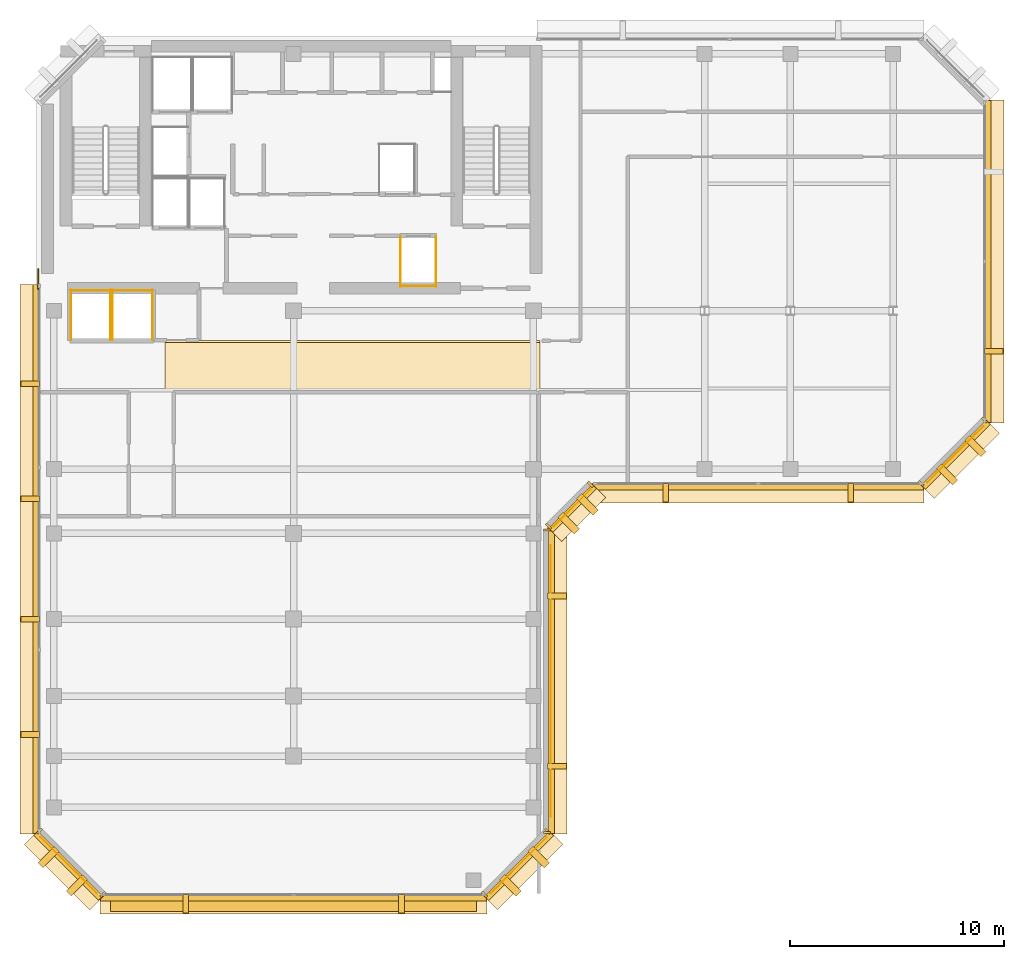
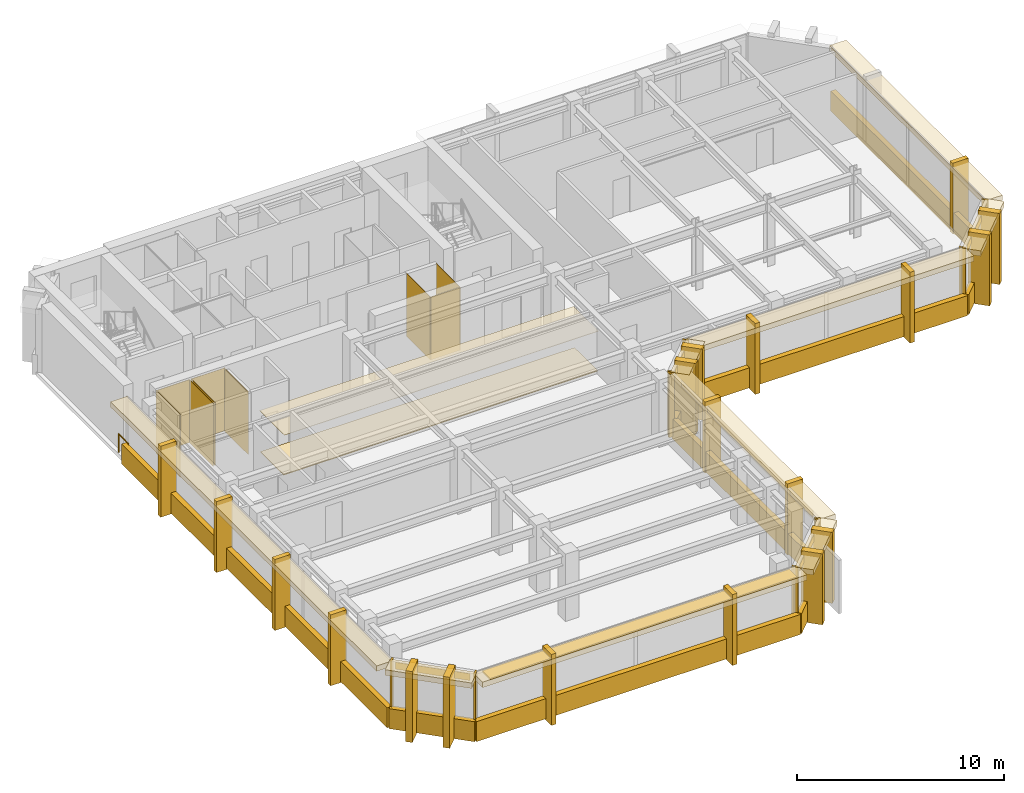
# One storey, part 9 of 11: 63 coverings, 1 railing, 1 shading device.
"""IFC4 building model written with IfcOpenShell, lengths in metres."""

from ifc_helpers import new_model, si_unit, direction, frame, origin, origin_2d, place, context, subcontext, project, spatial, polyline, rectangle, circle, outline, extrude, material, layer, layer_set, type_object, element, save


model = new_model("IFC4")

# Units and contexts
model_context = context("Model", 3, precision=1e-05, world=origin(), true_north=direction((0.0, 1.0)))
body_context = subcontext(model_context, "Body", "Model", "MODEL_VIEW")
ifc_project = project(units=[si_unit("LENGTHUNIT", "METRE"), si_unit("AREAUNIT", "SQUARE_METRE"), si_unit("VOLUMEUNIT", "CUBIC_METRE"), si_unit("PLANEANGLEUNIT", "RADIAN"), si_unit("MASSUNIT", "GRAM", prefix="KILO")], contexts=[model_context])

# Site, building, storey
site_placement = place(None, origin())
site = spatial("IfcSite", under=ifc_project, at=site_placement, CompositionType="ELEMENT")
building_placement = place(site_placement, origin())
building = spatial("IfcBuilding", under=site, at=building_placement, Name="Kefirva Bronze Tower", CompositionType="ELEMENT")
storey_placement = place(building_placement, frame((0.0, 0.0, 343.530029296875)))
storey = spatial("IfcBuildingStorey", under=building, at=storey_placement, Name="L84", CompositionType="ELEMENT", Elevation=343.530029296875)

# Coverings
ifc_material_1 = material(Name="Acoustic mineral tile")
ifc_layer_1 = layer(ifc_material_1, 0.02490234375, Name="Acoustic mineral tile")
ifc_layer_set_1 = layer_set([ifc_layer_1], Name="Acoustic mineral tile")
covering_type_1 = type_object("IfcCoveringType", Name="Acoustic Mineral Suspended Ceiling 25mm", PredefinedType="CEILING", material=ifc_layer_set_1)
covering_1_placement = place(storey_placement, frame((0.0, 0.0, 2.39990234375)))
element("IfcCovering", 1, at=covering_1_placement, inside=storey, type_object=covering_type_1, Name="L84 Corridor Acoustic Ceiling", PredefinedType="CEILING", context=body_context, shape_type="SweptSolid", body=[
    extrude(outline(polyline([(6.0, 29.39990234375), (23.5, 29.39990234375), (23.5, 31.800048828125), (6.0, 31.800048828125), (6.0, 29.39990234375)])), origin(), (0.0, 0.0, 1.0), 0.025146484375),
])
ifc_material_2 = material(Name="Bronze anodised aluminium", Category="aluminium")
ifc_layer_2 = layer(ifc_material_2, 0.02001953125, Name="Bronze anodised aluminium")
ifc_layer_set_2 = layer_set([ifc_layer_2], Name="Bronze anodised aluminium")
covering_type_2 = type_object("IfcCoveringType", Name="Anodised Bronze Spandrel Cladding 20mm", PredefinedType="CLADDING", material=ifc_layer_set_2)
covering_2_placement = place(storey_placement, frame((12.0, 5.760009765625, -0.16015625), z_axis=(0.0, 0.0, 1.0), x_axis=(1.0, 0.0, 0.0)))
element("IfcCovering", 2, at=covering_2_placement, inside=storey, type_object=covering_type_2, Name="L84 Streamline Horizontal Spandrel Band 0", PredefinedType="CLADDING", context=body_context, shape_type="SweptSolid", body=[
    extrude(rectangle(XDim=18.0400390625, YDim=0.280029296875, at=origin_2d()), origin(), (0.0, 0.0, 1.0), 1.179931640625),
])
covering_3_placement = place(storey_placement, frame((22.507080078125, 7.29296875, 3.2900390625), z_axis=(0.0, 0.0, 1.0), x_axis=(0.707106781187, 0.707106781187, 0.0)))
element("IfcCovering", 3, at=covering_3_placement, inside=storey, type_object=covering_type_2, Name="L84 Bronze Spandrel Cladding 1", PredefinedType="CLADDING", context=body_context, shape_type="SweptSolid", body=[
    extrude(rectangle(XDim=3.719482421875, YDim=0.02001953125, at=origin_2d()), origin(), (0.0, 0.0, 1.0), 0.39990234375),
])
for number, where, z_axis, x_axis, name in (
    (4, (20.91162109375, 5.93798828125, 0.0), (0.0, 0.0, 1.0), (0.707106781187, 0.707106781187, 0.0), "L84 Facade Joint Closure Panel 1S"),
    (5, (23.862060546875, 8.88818359375, 0.0), (0.0, 0.0, 1.0), (0.707106781187, 0.707106781187, 0.0), "L84 Facade Joint Closure Panel 1E"),
):
    element("IfcCovering", number, at=place(storey_placement, frame(where, z_axis=z_axis, x_axis=x_axis)), inside=storey, type_object=covering_type_2, Name=name, PredefinedType="CLADDING", context=body_context, shape_type="SweptSolid", body=[
        extrude(rectangle(XDim=0.10009765625, YDim=0.320068359375, at=origin_2d()), origin(), (0.0, 0.0, 1.0), 3.7099609375),
    ])
covering_4_placement = place(storey_placement, frame((22.5283203125, 7.271728515625, -0.16015625), z_axis=(0.0, 0.0, 1.0), x_axis=(0.707106781187, 0.707106781187, 0.0)))
element("IfcCovering", 6, at=covering_4_placement, inside=storey, type_object=covering_type_2, Name="L84 Streamline Horizontal Spandrel Band 1", PredefinedType="CLADDING", context=body_context, shape_type="SweptSolid", body=[
    extrude(rectangle(XDim=4.28271484375, YDim=0.280029296875, at=origin_2d()), origin(), (0.0, 0.0, 1.0), 1.179931640625),
])
covering_5_placement = place(storey_placement, frame((24.010009765625, 15.89990234375, 3.2900390625), z_axis=(0.0, 0.0, 1.0), x_axis=(0.0, 1.0, 0.0)))
element("IfcCovering", 7, at=covering_5_placement, inside=storey, type_object=covering_type_2, Name="L84 Bronze Spandrel Cladding 2", PredefinedType="CLADDING", context=body_context, shape_type="SweptSolid", body=[
    extrude(rectangle(XDim=12.680908203125, YDim=0.02001953125, at=origin_2d()), origin(), (0.0, 0.0, 1.0), 0.39990234375),
])
for number, where, z_axis, x_axis, name in (
    (8, (23.840087890625, 8.8349609375, 0.0), (0.0, 0.0, 1.0), (0.0, 1.0, 0.0), "L84 Facade Joint Closure Panel 2S"),
    (9, (23.840087890625, 22.965087890625, 0.0), (0.0, 0.0, 1.0), (0.0, 1.0, 0.0), "L84 Facade Joint Closure Panel 2E"),
):
    element("IfcCovering", number, at=place(storey_placement, frame(where, z_axis=z_axis, x_axis=x_axis)), inside=storey, type_object=covering_type_2, Name=name, PredefinedType="CLADDING", context=body_context, shape_type="SweptSolid", body=[
        extrude(rectangle(XDim=0.10009765625, YDim=0.320068359375, at=origin_2d()), origin(), (0.0, 0.0, 1.0), 3.7099609375),
    ])
covering_6_placement = place(storey_placement, frame((24.0400390625, 15.89990234375, -0.16015625), z_axis=(0.0, 0.0, 1.0), x_axis=(0.0, 1.0, 0.0)))
element("IfcCovering", 10, at=covering_6_placement, inside=storey, type_object=covering_type_2, Name="L84 Streamline Horizontal Spandrel Band 2", PredefinedType="CLADDING", context=body_context, shape_type="SweptSolid", body=[
    extrude(rectangle(XDim=14.239990234375, YDim=0.280029296875, at=origin_2d()), origin(), (0.0, 0.0, 1.0), 1.179931640625),
])
covering_7_placement = place(storey_placement, frame((25.007080078125, 23.992919921875, 3.2900390625), z_axis=(0.0, 0.0, 1.0), x_axis=(0.707106781187, 0.707106781187, 0.0)))
element("IfcCovering", 11, at=covering_7_placement, inside=storey, type_object=covering_type_2, Name="L84 Bronze Spandrel Cladding 3", PredefinedType="CLADDING", context=body_context, shape_type="SweptSolid", body=[
    extrude(rectangle(XDim=2.446533203125, YDim=0.02001953125, at=origin_2d()), origin(), (0.0, 0.0, 1.0), 0.39990234375),
])
for number, where, z_axis, x_axis, name in (
    (12, (23.91162109375, 23.137939453125, 0.0), (0.0, 0.0, 1.0), (0.707106781187, 0.707106781187, 0.0), "L84 Facade Joint Closure Panel 3S"),
    (13, (25.862060546875, 25.08837890625, 0.0), (0.0, 0.0, 1.0), (0.707106781187, 0.707106781187, 0.0), "L84 Facade Joint Closure Panel 3E"),
):
    element("IfcCovering", number, at=place(storey_placement, frame(where, z_axis=z_axis, x_axis=x_axis)), inside=storey, type_object=covering_type_2, Name=name, PredefinedType="CLADDING", context=body_context, shape_type="SweptSolid", body=[
        extrude(rectangle(XDim=0.10009765625, YDim=0.320068359375, at=origin_2d()), origin(), (0.0, 0.0, 1.0), 3.7099609375),
    ])
covering_8_placement = place(storey_placement, frame((25.0283203125, 23.9716796875, -0.16015625), z_axis=(0.0, 0.0, 1.0), x_axis=(0.707106781187, 0.707106781187, 0.0)))
element("IfcCovering", 14, at=covering_8_placement, inside=storey, type_object=covering_type_2, Name="L84 Streamline Horizontal Spandrel Band 3", PredefinedType="CLADDING", context=body_context, shape_type="SweptSolid", body=[
    extrude(rectangle(XDim=2.868408203125, YDim=0.280029296875, at=origin_2d()), origin(), (0.0, 0.0, 1.0), 1.179931640625),
])
covering_9_placement = place(storey_placement, frame((33.699951171875, 24.9599609375, -0.16015625), z_axis=(0.0, 0.0, 1.0), x_axis=(1.0, 0.0, 0.0)))
element("IfcCovering", 15, at=covering_9_placement, inside=storey, type_object=covering_type_2, Name="L84 Streamline Horizontal Spandrel Band 4", PredefinedType="CLADDING", context=body_context, shape_type="SweptSolid", body=[
    extrude(rectangle(XDim=15.43994140625, YDim=0.280029296875, at=origin_2d()), origin(), (0.0, 0.0, 1.0), 1.179931640625),
])
covering_10_placement = place(storey_placement, frame((42.906982421875, 26.492919921875, 3.2900390625), z_axis=(0.0, 0.0, 1.0), x_axis=(0.707106781187, 0.707106781187, 0.0)))
element("IfcCovering", 16, at=covering_10_placement, inside=storey, type_object=covering_type_2, Name="L84 Bronze Spandrel Cladding 4", PredefinedType="CLADDING", context=body_context, shape_type="SweptSolid", body=[
    extrude(rectangle(XDim=3.719482421875, YDim=0.02001953125, at=origin_2d()), origin(), (0.0, 0.0, 1.0), 0.39990234375),
])
for number, where, z_axis, x_axis, name in (
    (17, (41.311767578125, 25.137939453125, 0.0), (0.0, 0.0, 1.0), (0.707106781187, 0.707106781187, 0.0), "L84 Facade Joint Closure Panel 4S"),
    (18, (44.26220703125, 28.08837890625, 0.0), (0.0, 0.0, 1.0), (0.707106781187, 0.707106781187, 0.0), "L84 Facade Joint Closure Panel 4E"),
):
    element("IfcCovering", number, at=place(storey_placement, frame(where, z_axis=z_axis, x_axis=x_axis)), inside=storey, type_object=covering_type_2, Name=name, PredefinedType="CLADDING", context=body_context, shape_type="SweptSolid", body=[
        extrude(rectangle(XDim=0.10009765625, YDim=0.320068359375, at=origin_2d()), origin(), (0.0, 0.0, 1.0), 3.7099609375),
    ])
covering_11_placement = place(storey_placement, frame((42.92822265625, 26.4716796875, -0.16015625), z_axis=(0.0, 0.0, 1.0), x_axis=(0.707106781187, 0.707106781187, 0.0)))
element("IfcCovering", 19, at=covering_11_placement, inside=storey, type_object=covering_type_2, Name="L84 Streamline Horizontal Spandrel Band 5", PredefinedType="CLADDING", context=body_context, shape_type="SweptSolid", body=[
    extrude(rectangle(XDim=4.28271484375, YDim=0.280029296875, at=origin_2d()), origin(), (0.0, 0.0, 1.0), 1.179931640625),
])
covering_12_placement = place(storey_placement, frame((44.43994140625, 35.5, -0.16015625), z_axis=(0.0, 0.0, 1.0), x_axis=(0.0, 1.0, 0.0)))
element("IfcCovering", 20, at=covering_12_placement, inside=storey, type_object=covering_type_2, Name="L84 Streamline Horizontal Spandrel Band 6", PredefinedType="CLADDING", context=body_context, shape_type="SweptSolid", body=[
    extrude(rectangle(XDim=15.0400390625, YDim=0.280029296875, at=origin_2d()), origin(), (0.0, 0.0, 1.0), 1.179931640625),
])
covering_13_placement = place(storey_placement, frame((-0.0400390625, 21.597412109375, -0.16015625), z_axis=(0.0, 0.0, 1.0), x_axis=(0.0, -1.0, 0.0)))
element("IfcCovering", 21, at=covering_13_placement, inside=storey, type_object=covering_type_2, Name="L84 Streamline Horizontal Spandrel Band 10", PredefinedType="CLADDING", context=body_context, shape_type="SweptSolid", body=[
    extrude(rectangle(XDim=25.635009765625, YDim=0.280029296875, at=origin_2d()), origin(), (0.0, 0.0, 1.0), 1.179931640625),
])
covering_14_placement = place(storey_placement, frame((1.492919921875, 7.29296875, 3.2900390625), z_axis=(0.0, 0.0, 1.0), x_axis=(0.707106781187, -0.707106781187, 0.0)))
element("IfcCovering", 22, at=covering_14_placement, inside=storey, type_object=covering_type_2, Name="L84 Bronze Spandrel Cladding 7", PredefinedType="CLADDING", context=body_context, shape_type="SweptSolid", body=[
    extrude(rectangle(XDim=3.719482421875, YDim=0.02001953125, at=origin_2d()), origin(), (0.0, 0.0, 1.0), 0.39990234375),
])
for number, where, z_axis, x_axis, name in (
    (23, (0.137939453125, 8.88818359375, 0.0), (0.0, 0.0, 1.0), (0.707106781187, -0.707106781187, 0.0), "L84 Facade Joint Closure Panel 7S"),
    (24, (3.08837890625, 5.93798828125, 0.0), (0.0, 0.0, 1.0), (0.707106781187, -0.707106781187, 0.0), "L84 Facade Joint Closure Panel 7E"),
):
    element("IfcCovering", number, at=place(storey_placement, frame(where, z_axis=z_axis, x_axis=x_axis)), inside=storey, type_object=covering_type_2, Name=name, PredefinedType="CLADDING", context=body_context, shape_type="SweptSolid", body=[
        extrude(rectangle(XDim=0.10009765625, YDim=0.320068359375, at=origin_2d()), origin(), (0.0, 0.0, 1.0), 3.7099609375),
    ])
covering_15_placement = place(storey_placement, frame((1.4716796875, 7.271728515625, -0.16015625), z_axis=(0.0, 0.0, 1.0), x_axis=(0.707106781187, -0.707106781187, 0.0)))
element("IfcCovering", 25, at=covering_15_placement, inside=storey, type_object=covering_type_2, Name="L84 Streamline Horizontal Spandrel Band 11", PredefinedType="CLADDING", context=body_context, shape_type="SweptSolid", body=[
    extrude(rectangle(XDim=4.28271484375, YDim=0.280029296875, at=origin_2d()), origin(), (0.0, 0.0, 1.0), 1.179931640625),
])
covering_16_placement = place(storey_placement, origin())
element("IfcCovering", 26, at=covering_16_placement, inside=storey, type_object=covering_type_2, Name="L84 Lift OB1 Hoistway Liner N", PredefinedType="CLADDING", context=body_context, shape_type="SweptSolid", body=[
    extrude(outline(polyline([(1.580078125, 34.139892578125), (3.469970703125, 34.139892578125), (3.469970703125, 34.159912109375), (1.580078125, 34.159912109375), (1.580078125, 34.139892578125)])), origin(), (0.0, 0.0, 1.0), 3.7099609375),
])
covering_17_placement = place(storey_placement, origin())
element("IfcCovering", 27, at=covering_17_placement, inside=storey, type_object=covering_type_2, Name="L84 Lift OB1 Hoistway Liner W", PredefinedType="CLADDING", context=body_context, shape_type="SweptSolid", body=[
    extrude(outline(polyline([(1.590087890625, 31.830078125), (1.610107421875, 31.830078125), (1.610107421875, 34.169921875), (1.590087890625, 34.169921875), (1.590087890625, 31.830078125)])), origin(), (0.0, 0.0, 1.0), 3.7099609375),
])
covering_18_placement = place(storey_placement, origin())
element("IfcCovering", 28, at=covering_18_placement, inside=storey, type_object=covering_type_2, Name="L84 Lift OB1 Hoistway Liner E", PredefinedType="CLADDING", context=body_context, shape_type="SweptSolid", body=[
    extrude(outline(polyline([(3.43994140625, 31.830078125), (3.4599609375, 31.830078125), (3.4599609375, 34.169921875), (3.43994140625, 34.169921875), (3.43994140625, 31.830078125)])), origin(), (0.0, 0.0, 1.0), 3.7099609375),
])
covering_19_placement = place(storey_placement, origin())
element("IfcCovering", 29, at=covering_19_placement, inside=storey, type_object=covering_type_2, Name="L84 Lift OB2 Hoistway Liner N", PredefinedType="CLADDING", context=body_context, shape_type="SweptSolid", body=[
    extrude(outline(polyline([(3.530029296875, 34.139892578125), (5.419921875, 34.139892578125), (5.419921875, 34.159912109375), (3.530029296875, 34.159912109375), (3.530029296875, 34.139892578125)])), origin(), (0.0, 0.0, 1.0), 3.7099609375),
])
covering_20_placement = place(storey_placement, origin())
element("IfcCovering", 30, at=covering_20_placement, inside=storey, type_object=covering_type_2, Name="L84 Lift OB2 Hoistway Liner W", PredefinedType="CLADDING", context=body_context, shape_type="SweptSolid", body=[
    extrude(outline(polyline([(3.5400390625, 31.830078125), (3.56005859375, 31.830078125), (3.56005859375, 34.169921875), (3.5400390625, 34.169921875), (3.5400390625, 31.830078125)])), origin(), (0.0, 0.0, 1.0), 3.7099609375),
])
covering_21_placement = place(storey_placement, origin())
element("IfcCovering", 31, at=covering_21_placement, inside=storey, type_object=covering_type_2, Name="L84 Lift OB2 Hoistway Liner E", PredefinedType="CLADDING", context=body_context, shape_type="SweptSolid", body=[
    extrude(outline(polyline([(5.389892578125, 31.830078125), (5.409912109375, 31.830078125), (5.409912109375, 34.169921875), (5.389892578125, 34.169921875), (5.389892578125, 31.830078125)])), origin(), (0.0, 0.0, 1.0), 3.7099609375),
])
covering_22_placement = place(storey_placement, origin())
element("IfcCovering", 32, at=covering_22_placement, inside=storey, type_object=covering_type_2, Name="L84 Lift HP1 Hoistway Liner S", PredefinedType="CLADDING", context=body_context, shape_type="SweptSolid", body=[
    extrude(outline(polyline([(16.97998046875, 34.340087890625), (18.669921875, 34.340087890625), (18.669921875, 34.360107421875), (16.97998046875, 34.360107421875), (16.97998046875, 34.340087890625)])), origin(), (0.0, 0.0, 1.0), 3.7099609375),
])
covering_23_placement = place(storey_placement, origin())
element("IfcCovering", 33, at=covering_23_placement, inside=storey, type_object=covering_type_2, Name="L84 Lift HP1 Hoistway Liner W", PredefinedType="CLADDING", context=body_context, shape_type="SweptSolid", body=[
    extrude(outline(polyline([(16.989990234375, 34.330078125), (17.010009765625, 34.330078125), (17.010009765625, 36.669921875), (16.989990234375, 36.669921875), (16.989990234375, 34.330078125)])), origin(), (0.0, 0.0, 1.0), 3.7099609375),
])
covering_24_placement = place(storey_placement, origin())
element("IfcCovering", 34, at=covering_24_placement, inside=storey, type_object=covering_type_2, Name="L84 Lift HP1 Hoistway Liner E", PredefinedType="CLADDING", context=body_context, shape_type="SweptSolid", body=[
    extrude(outline(polyline([(18.639892578125, 34.330078125), (18.659912109375, 34.330078125), (18.659912109375, 36.669921875), (18.639892578125, 36.669921875), (18.639892578125, 34.330078125)])), origin(), (0.0, 0.0, 1.0), 3.7099609375),
])

# Shading device
ifc_layer_3 = layer(ifc_material_2, 0.090087890625, Name="Bronze anodised aluminium")
ifc_layer_set_3 = layer_set([ifc_layer_3], Name="Bronze anodised aluminium")
shading_device_type = type_object("IfcShadingDeviceType", Name="Horizontal Bronze Sunshade Band 750mm", PredefinedType="JALOUSIE", material=ifc_layer_set_3)
shading_device_placement = place(storey_placement, frame((12.0, 5.5048828125, 3.60498046875), z_axis=(0.0, 0.0, 1.0), x_axis=(1.0, 0.0, 0.0)))
element("IfcShadingDevice", 35, at=shading_device_placement, inside=storey, type_object=shading_device_type, Name="L84 Horizontal Bronze Sunshade Band 0", PredefinedType="JALOUSIE", context=body_context, shape_type="SweptSolid", body=[
    extrude(rectangle(XDim=17.090087890625, YDim=0.75, at=origin_2d()), origin(), (0.0, 0.0, 1.0), 0.090087890625),
])

# Railing
ifc_material_3 = material(Name="Stainless steel 316", Category="steel")
railing_type = type_object("IfcRailingType", Name="Interior Stair Guardrail 1100mm", PredefinedType="GUARDRAIL", material=ifc_material_3)
railing_placement = place(storey_placement, frame((0.080078125, 34.199951171875, 0.0)))
element("IfcRailing", 36, at=railing_placement, inside=storey, type_object=railing_type, Name="L84 West Core Junction Guardrail", PredefinedType="GUARDRAIL", context=body_context, shape_type="SweptSolid", body=[
    extrude(circle(Radius=0.02392578125, at=origin_2d()), frame((0.0, 0.0, 1.076171875), z_axis=(0.0, 1.0, 0.0), x_axis=(-1.0, 0.0, 0.0)), (0.0, 0.0, 1.0), 0.949951171875),
    extrude(circle(Radius=0.02099609375, at=origin_2d()), origin(), (0.0, 0.0, 1.0), 1.052001953125),
    extrude(circle(Radius=0.02099609375, at=origin_2d()), frame((0.0, 0.949951171875, 0.0)), (0.0, 0.0, 1.0), 1.052001953125),
])

# Coverings
ifc_material_4 = material(Name="Calcium sulphate access tile")
ifc_layer_4 = layer(ifc_material_4, 0.044921875, Name="Calcium sulphate access tile")
ifc_layer_set_4 = layer_set([ifc_layer_4], Name="Calcium sulphate access tile")
covering_type_3 = type_object("IfcCoveringType", Name="Raised Access Office Flooring 45mm", PredefinedType="FLOORING", material=ifc_layer_set_4)
covering_25_placement = place(storey_placement, origin())
element("IfcCovering", 37, at=covering_25_placement, inside=storey, type_object=covering_type_3, Name="L84 Architectural Finish Flooring", PredefinedType="FLOORING", context=body_context, shape_type="SweptSolid", body=[
    extrude(outline(polyline([(6.0, 29.47998046875), (23.5, 29.47998046875), (23.5, 31.719970703125), (6.0, 31.719970703125), (6.0, 29.47998046875)])), origin(), (0.0, 0.0, 1.0), 0.044921875),
])
ifc_layer_5 = layer(ifc_material_2, 0.179931640625, Name="Bronze anodised aluminium")
ifc_layer_set_5 = layer_set([ifc_layer_5], Name="Bronze anodised aluminium")
covering_type_4 = type_object("IfcCoveringType", Name="Streamline Bronze Sunshade Eyebrow Cladding 180mm", PredefinedType="CLADDING", material=ifc_layer_set_5)
covering_26_placement = place(storey_placement, frame((12.0, 5.489990234375, 3.39013671875), z_axis=(0.0, 0.0, 1.0), x_axis=(1.0, 0.0, 0.0)))
element("IfcCovering", 38, at=covering_26_placement, inside=storey, type_object=covering_type_4, Name="L84 Streamline Bronze Sunshade Eyebrow 0", PredefinedType="CLADDING", context=body_context, shape_type="SweptSolid", body=[
    extrude(rectangle(XDim=18.080078125, YDim=0.93994140625, at=origin_2d()), origin(), (0.0, 0.0, 1.0), 0.320068359375),
])
covering_27_placement = place(storey_placement, frame((22.71923828125, 7.080810546875, 3.39013671875), z_axis=(0.0, 0.0, 1.0), x_axis=(0.707106781187, 0.707106781187, 0.0)))
element("IfcCovering", 39, at=covering_27_placement, inside=storey, type_object=covering_type_4, Name="L84 Streamline Bronze Sunshade Eyebrow 1", PredefinedType="CLADDING", context=body_context, shape_type="SweptSolid", body=[
    extrude(rectangle(XDim=4.322509765625, YDim=0.93994140625, at=origin_2d()), origin(), (0.0, 0.0, 1.0), 0.320068359375),
])
covering_28_placement = place(storey_placement, frame((24.31005859375, 15.89990234375, 3.39013671875), z_axis=(0.0, 0.0, 1.0), x_axis=(0.0, 1.0, 0.0)))
element("IfcCovering", 40, at=covering_28_placement, inside=storey, type_object=covering_type_4, Name="L84 Streamline Bronze Sunshade Eyebrow 2", PredefinedType="CLADDING", context=body_context, shape_type="SweptSolid", body=[
    extrude(rectangle(XDim=14.280029296875, YDim=0.93994140625, at=origin_2d()), origin(), (0.0, 0.0, 1.0), 0.320068359375),
])
covering_29_placement = place(storey_placement, frame((25.21923828125, 23.78076171875, 3.39013671875), z_axis=(0.0, 0.0, 1.0), x_axis=(0.707106781187, 0.707106781187, 0.0)))
element("IfcCovering", 41, at=covering_29_placement, inside=storey, type_object=covering_type_4, Name="L84 Streamline Bronze Sunshade Eyebrow 3", PredefinedType="CLADDING", context=body_context, shape_type="SweptSolid", body=[
    extrude(rectangle(XDim=2.908447265625, YDim=0.93994140625, at=origin_2d()), origin(), (0.0, 0.0, 1.0), 0.320068359375),
])
covering_30_placement = place(storey_placement, frame((33.699951171875, 24.68994140625, 3.39013671875), z_axis=(0.0, 0.0, 1.0), x_axis=(1.0, 0.0, 0.0)))
element("IfcCovering", 42, at=covering_30_placement, inside=storey, type_object=covering_type_4, Name="L84 Streamline Bronze Sunshade Eyebrow 4", PredefinedType="CLADDING", context=body_context, shape_type="SweptSolid", body=[
    extrude(rectangle(XDim=15.47998046875, YDim=0.93994140625, at=origin_2d()), origin(), (0.0, 0.0, 1.0), 0.320068359375),
])
covering_31_placement = place(storey_placement, frame((43.119140625, 26.28076171875, 3.39013671875), z_axis=(0.0, 0.0, 1.0), x_axis=(0.707106781187, 0.707106781187, 0.0)))
element("IfcCovering", 43, at=covering_31_placement, inside=storey, type_object=covering_type_4, Name="L84 Streamline Bronze Sunshade Eyebrow 5", PredefinedType="CLADDING", context=body_context, shape_type="SweptSolid", body=[
    extrude(rectangle(XDim=4.322509765625, YDim=0.93994140625, at=origin_2d()), origin(), (0.0, 0.0, 1.0), 0.320068359375),
])
covering_32_placement = place(storey_placement, frame((44.7099609375, 35.5, 3.39013671875), z_axis=(0.0, 0.0, 1.0), x_axis=(0.0, 1.0, 0.0)))
element("IfcCovering", 44, at=covering_32_placement, inside=storey, type_object=covering_type_4, Name="L84 Streamline Bronze Sunshade Eyebrow 6", PredefinedType="CLADDING", context=body_context, shape_type="SweptSolid", body=[
    extrude(rectangle(XDim=15.080078125, YDim=0.93994140625, at=origin_2d()), origin(), (0.0, 0.0, 1.0), 0.320068359375),
])
covering_33_placement = place(storey_placement, frame((-0.31005859375, 21.597412109375, 3.39013671875), z_axis=(0.0, 0.0, 1.0), x_axis=(0.0, -1.0, 0.0)))
element("IfcCovering", 45, at=covering_33_placement, inside=storey, type_object=covering_type_4, Name="L84 Streamline Bronze Sunshade Eyebrow 10", PredefinedType="CLADDING", context=body_context, shape_type="SweptSolid", body=[
    extrude(rectangle(XDim=25.675048828125, YDim=0.93994140625, at=origin_2d()), origin(), (0.0, 0.0, 1.0), 0.320068359375),
])
covering_34_placement = place(storey_placement, frame((1.28076171875, 7.080810546875, 3.39013671875), z_axis=(0.0, 0.0, 1.0), x_axis=(0.707106781187, -0.707106781187, 0.0)))
element("IfcCovering", 46, at=covering_34_placement, inside=storey, type_object=covering_type_4, Name="L84 Streamline Bronze Sunshade Eyebrow 11", PredefinedType="CLADDING", context=body_context, shape_type="SweptSolid", body=[
    extrude(rectangle(XDim=4.322509765625, YDim=0.93994140625, at=origin_2d()), origin(), (0.0, 0.0, 1.0), 0.320068359375),
])
ifc_layer_6 = layer(ifc_material_2, 0.260009765625, Name="Bronze anodised aluminium")
ifc_layer_set_6 = layer_set([ifc_layer_6], Name="Bronze anodised aluminium")
covering_type_5 = type_object("IfcCoveringType", Name="Unbroken Bronze Buttress Fin Cladding 260mm", PredefinedType="CLADDING", material=ifc_layer_set_6)
for number, where, z_axis, x_axis, name in (
    (47, (6.9599609375, 5.5, -0.22021484375), (0.0, 0.0, 1.0), (1.0, 0.0, 0.0), "L84 Unbroken Vertical Bronze Rib Fin 1"),
    (48, (17.0400390625, 5.5, -0.22021484375), (0.0, 0.0, 1.0), (1.0, 0.0, 0.0), "L84 Unbroken Vertical Bronze Rib Fin 2"),
):
    element("IfcCovering", number, at=place(storey_placement, frame(where, z_axis=z_axis, x_axis=x_axis)), inside=storey, type_object=covering_type_5, Name=name, PredefinedType="CLADDING", context=body_context, shape_type="SweptSolid", body=[
        extrude(rectangle(XDim=0.260009765625, YDim=0.8798828125, at=origin_2d()), origin(), (0.0, 0.0, 1.0), 4.179931640625),
    ])
for number, where, z_axis, x_axis, name in (
    (49, (22.122802734375, 6.357177734375, -0.22021484375), (0.0, 0.0, 1.0), (0.707106781187, 0.707106781187, 0.0), "L84 Chamfered Corner Buttress Fin Cladding 3"),
    (50, (23.44287109375, 7.67724609375, -0.22021484375), (0.0, 0.0, 1.0), (0.707106781187, 0.707106781187, 0.0), "L84 Chamfered Corner Buttress Fin Cladding 4"),
):
    element("IfcCovering", number, at=place(storey_placement, frame(where, z_axis=z_axis, x_axis=x_axis)), inside=storey, type_object=covering_type_5, Name=name, PredefinedType="CLADDING", context=body_context, shape_type="SweptSolid", body=[
        extrude(rectangle(XDim=0.340087890625, YDim=1.080078125, at=origin_2d()), origin(), (0.0, 0.0, 1.0), 4.179931640625),
    ])
for number, where, z_axis, x_axis, name in (
    (51, (24.300048828125, 11.924072265625, -0.22021484375), (0.0, 0.0, 1.0), (0.0, 1.0, 0.0), "L84 Unbroken Vertical Bronze Rib Fin 5"),
    (52, (24.300048828125, 19.8759765625, -0.22021484375), (0.0, 0.0, 1.0), (0.0, 1.0, 0.0), "L84 Unbroken Vertical Bronze Rib Fin 6"),
):
    element("IfcCovering", number, at=place(storey_placement, frame(where, z_axis=z_axis, x_axis=x_axis)), inside=storey, type_object=covering_type_5, Name=name, PredefinedType="CLADDING", context=body_context, shape_type="SweptSolid", body=[
        extrude(rectangle(XDim=0.260009765625, YDim=0.8798828125, at=origin_2d()), origin(), (0.0, 0.0, 1.0), 4.179931640625),
    ])
for number, where, z_axis, x_axis, name in (
    (53, (24.8427734375, 23.277099609375, -0.22021484375), (0.0, 0.0, 1.0), (0.707106781187, 0.707106781187, 0.0), "L84 Chamfered Corner Buttress Fin Cladding 7"),
    (54, (25.722900390625, 24.1572265625, -0.22021484375), (0.0, 0.0, 1.0), (0.707106781187, 0.707106781187, 0.0), "L84 Chamfered Corner Buttress Fin Cladding 8"),
):
    element("IfcCovering", number, at=place(storey_placement, frame(where, z_axis=z_axis, x_axis=x_axis)), inside=storey, type_object=covering_type_5, Name=name, PredefinedType="CLADDING", context=body_context, shape_type="SweptSolid", body=[
        extrude(rectangle(XDim=0.340087890625, YDim=1.080078125, at=origin_2d()), origin(), (0.0, 0.0, 1.0), 4.179931640625),
    ])
for number, where, z_axis, x_axis, name in (
    (55, (29.387939453125, 24.699951171875, -0.22021484375), (0.0, 0.0, 1.0), (1.0, 0.0, 0.0), "L84 Unbroken Vertical Bronze Rib Fin 9"),
    (56, (38.011962890625, 24.699951171875, -0.22021484375), (0.0, 0.0, 1.0), (1.0, 0.0, 0.0), "L84 Unbroken Vertical Bronze Rib Fin 10"),
):
    element("IfcCovering", number, at=place(storey_placement, frame(where, z_axis=z_axis, x_axis=x_axis)), inside=storey, type_object=covering_type_5, Name=name, PredefinedType="CLADDING", context=body_context, shape_type="SweptSolid", body=[
        extrude(rectangle(XDim=0.260009765625, YDim=0.8798828125, at=origin_2d()), origin(), (0.0, 0.0, 1.0), 4.179931640625),
    ])
for number, where, z_axis, x_axis, name in (
    (57, (42.522705078125, 25.55712890625, -0.22021484375), (0.0, 0.0, 1.0), (0.707106781187, 0.707106781187, 0.0), "L84 Chamfered Corner Buttress Fin Cladding 11"),
    (58, (43.8427734375, 26.877197265625, -0.22021484375), (0.0, 0.0, 1.0), (0.707106781187, 0.707106781187, 0.0), "L84 Chamfered Corner Buttress Fin Cladding 12"),
):
    element("IfcCovering", number, at=place(storey_placement, frame(where, z_axis=z_axis, x_axis=x_axis)), inside=storey, type_object=covering_type_5, Name=name, PredefinedType="CLADDING", context=body_context, shape_type="SweptSolid", body=[
        extrude(rectangle(XDim=0.340087890625, YDim=1.080078125, at=origin_2d()), origin(), (0.0, 0.0, 1.0), 4.179931640625),
    ])
for number, where, z_axis, x_axis, name in (
    (59, (44.699951171875, 31.300048828125, -0.22021484375), (0.0, 0.0, 1.0), (0.0, 1.0, 0.0), "L84 Unbroken Vertical Bronze Rib Fin 13"),
    (60, (-0.300048828125, 29.787841796875, -0.22021484375), (0.0, 0.0, 1.0), (0.0, -1.0, 0.0), "L84 Unbroken Vertical Bronze Rib Fin 21"),
    (61, (-0.300048828125, 24.4130859375, -0.22021484375), (0.0, 0.0, 1.0), (0.0, -1.0, 0.0), "L84 Unbroken Vertical Bronze Rib Fin 22"),
    (62, (-0.300048828125, 18.781982421875, -0.22021484375), (0.0, 0.0, 1.0), (0.0, -1.0, 0.0), "L84 Unbroken Vertical Bronze Rib Fin 23"),
    (63, (-0.300048828125, 13.406982421875, -0.22021484375), (0.0, 0.0, 1.0), (0.0, -1.0, 0.0), "L84 Unbroken Vertical Bronze Rib Fin 24"),
):
    element("IfcCovering", number, at=place(storey_placement, frame(where, z_axis=z_axis, x_axis=x_axis)), inside=storey, type_object=covering_type_5, Name=name, PredefinedType="CLADDING", context=body_context, shape_type="SweptSolid", body=[
        extrude(rectangle(XDim=0.260009765625, YDim=0.8798828125, at=origin_2d()), origin(), (0.0, 0.0, 1.0), 4.179931640625),
    ])
for number, where, z_axis, x_axis, name in (
    (64, (0.55712890625, 7.67724609375, -0.22021484375), (0.0, 0.0, 1.0), (0.707106781187, -0.707106781187, 0.0), "L84 Chamfered Corner Buttress Fin Cladding 25"),
    (65, (1.877197265625, 6.357177734375, -0.22021484375), (0.0, 0.0, 1.0), (0.707106781187, -0.707106781187, 0.0), "L84 Chamfered Corner Buttress Fin Cladding 26"),
):
    element("IfcCovering", number, at=place(storey_placement, frame(where, z_axis=z_axis, x_axis=x_axis)), inside=storey, type_object=covering_type_5, Name=name, PredefinedType="CLADDING", context=body_context, shape_type="SweptSolid", body=[
        extrude(rectangle(XDim=0.340087890625, YDim=1.080078125, at=origin_2d()), origin(), (0.0, 0.0, 1.0), 4.179931640625),
    ])

save(model, "model.ifc")
